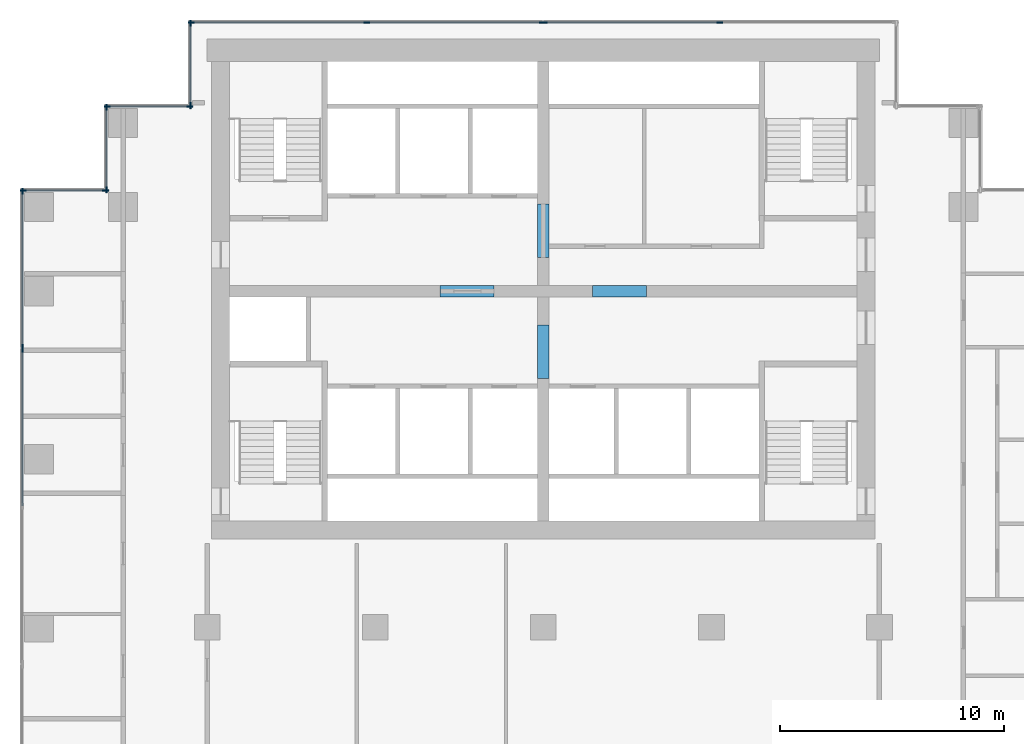
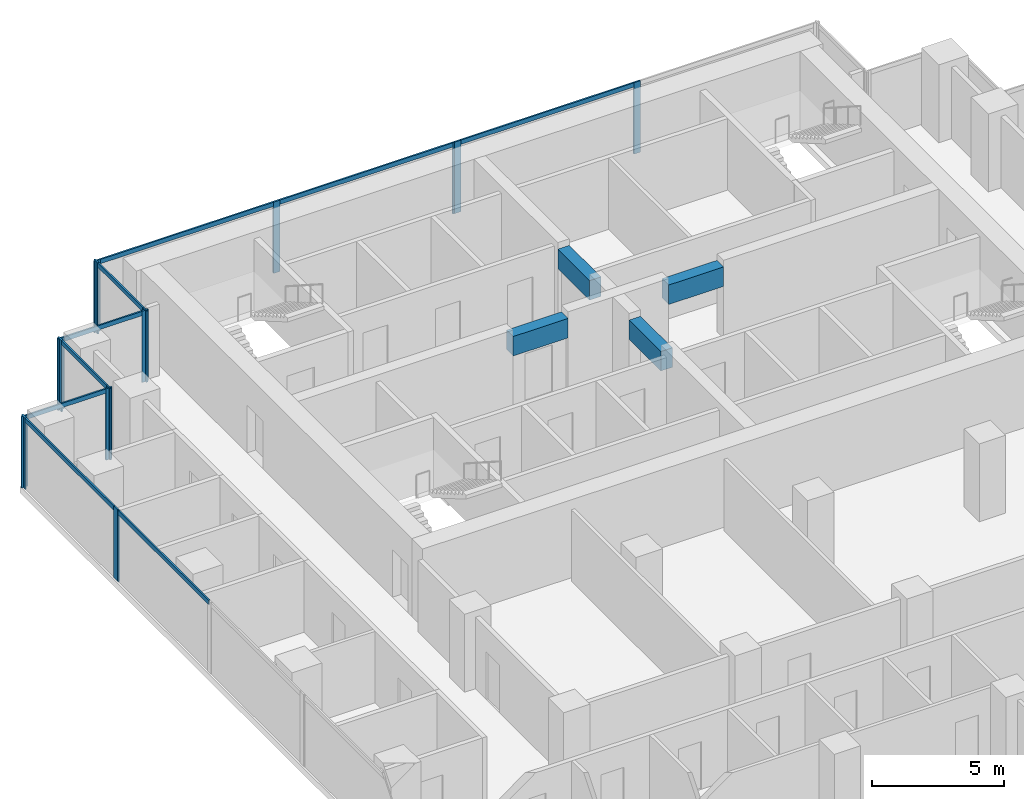
# One storey, part 4 of 11: 25 members, 4 beams, 8 elements without a shape of their own.
"""IFC4 building model written with IfcOpenShell, lengths in metres."""

from ifc_helpers import new_model, si_unit, direction, frame, origin, origin_2d, place, context, subcontext, project, spatial, rectangle, extrude, material, material_profile, profile_set, type_object, element, aggregate, save


model = new_model("IFC4")

# Units and contexts
model_context = context("Model", 3, precision=1e-05, world=origin(), true_north=direction((0.0, 1.0)))
body_context = subcontext(model_context, "Body", "Model", "MODEL_VIEW")
ifc_project = project(units=[si_unit("LENGTHUNIT", "METRE"), si_unit("AREAUNIT", "SQUARE_METRE"), si_unit("VOLUMEUNIT", "CUBIC_METRE"), si_unit("PLANEANGLEUNIT", "RADIAN"), si_unit("MASSUNIT", "GRAM", prefix="KILO")], contexts=[model_context])

# Site, building, storey
site_placement = place(None, origin())
site = spatial("IfcSite", under=ifc_project, at=site_placement, CompositionType="ELEMENT")
building_placement = place(site_placement, origin())
building = spatial("IfcBuilding", under=site, at=building_placement, Name="Pilkhan Gate Tower", CompositionType="ELEMENT")
storey_placement = place(building_placement, frame((0.0, 0.0, 121.60009765625)))
storey = spatial("IfcBuildingStorey", under=building, at=storey_placement, Name="L30", CompositionType="ELEMENT", Elevation=121.60009765625)

# Beams
ifc_material_1 = material(Name="Concrete C60/75", Category="concrete")
ifc_material_profile_1 = material_profile(ifc_material_1, rectangle(XDim=0.5, YDim=0.89990234375, at=origin_2d()), Name="RC 500x900")
ifc_profile_set_1 = profile_set([ifc_material_profile_1], Name="Concrete C60/75")
beam_type = type_object("IfcBeamType", Name="Coupling beam CB90 RC 500x900 C60/75", PredefinedType="LINTEL", material=ifc_profile_set_1)
for number, where, z_axis, x_axis, name in (
    (1, (70.39990234375, 82.5, 2.849853515625), (1.0, 0.0, 0.0), (0.0, 1.0, 0.0), "Coupling beam 1 L30"),
    (2, (77.199951171875, 82.5, 2.849853515625), (1.0, 0.0, 0.0), (0.0, 1.0, 0.0), "Coupling beam 2 L30"),
):
    element("IfcBeam", number, at=place(storey_placement, frame(where, z_axis=z_axis, x_axis=x_axis)), inside=storey, type_object=beam_type, Name=name, PredefinedType="LINTEL", context=body_context, shape_type="SweptSolid", body=[
        extrude(rectangle(XDim=0.5, YDim=0.89990234375, at=origin_2d()), origin(), (0.0, 0.0, 1.0), 2.400146484375),
    ])
for number, where, z_axis, x_axis, name in (
    (3, (75.0, 78.60009765625, 2.849853515625), (0.0, 1.0, 0.0), (-1.0, 0.0, 0.0), "Coupling beam 3 L30"),
    (4, (75.0, 84.0, 2.849853515625), (0.0, 1.0, 0.0), (-1.0, 0.0, 0.0), "Coupling beam 4 L30"),
):
    element("IfcBeam", number, at=place(storey_placement, frame(where, z_axis=z_axis, x_axis=x_axis)), inside=storey, type_object=beam_type, Name=name, PredefinedType="LINTEL", context=body_context, shape_type="SweptSolid", body=[
        extrude(rectangle(XDim=0.5, YDim=0.89990234375, at=origin_2d()), origin(), (0.0, 0.0, 1.0), 2.39990234375),
    ])

# Curtain wall, members
ifc_material_2 = material(Name="Pale anodised aluminium, clear low-iron double glazing", Category="aluminium")
curtain_wall_type = type_object("IfcCurtainWallType", Name="Office unitised curtain wall CW-O1", PredefinedType="USERDEFINED", material=ifc_material_2)
curtain_wall_1_placement = place(storey_placement, origin())
curtain_wall_1 = element("IfcCurtainWall", 5, at=curtain_wall_1_placement, inside=storey, type_object=curtain_wall_type, Name="Office unitised curtain wall CW-O1 L30 N", ObjectType="UNITISED CURTAIN WALL", PredefinedType="USERDEFINED")
ifc_material_3 = material(Name="Pale anodised aluminium", Category="aluminium")
ifc_material_profile_2 = material_profile(ifc_material_3, rectangle(XDim=0.070068359375, YDim=0.27490234375, at=origin_2d()), Name="Mullion 275x70")
ifc_profile_set_2 = profile_set([ifc_material_profile_2], Name="Pale anodised aluminium")
member_type_1 = type_object("IfcMemberType", Name="Mullion CW-O1 275x70", PredefinedType="MULLION", material=ifc_profile_set_2)
member_1_placement = place(storey_placement, frame((59.284912109375, 94.5, 0.0), z_axis=(0.0, 0.0, 1.0), x_axis=(0.0, 1.0, 0.0)))
member_1 = element("IfcMember", 6, at=member_1_placement, type_object=member_type_1, Name="CW-O1 mullion 1", PredefinedType="MULLION", context=body_context, shape_type="SweptSolid", body=[
    extrude(rectangle(XDim=0.070068359375, YDim=0.27490234375, at=origin_2d()), origin(), (0.0, 0.0, 1.0), 3.2998046875),
])
member_2_placement = place(storey_placement, frame((67.125, 94.5, 0.0), z_axis=(0.0, 0.0, 1.0), x_axis=(0.0, 1.0, 0.0)))
member_2 = element("IfcMember", 7, at=member_2_placement, type_object=member_type_1, Name="CW-O1 mullion 2", PredefinedType="MULLION", context=body_context, shape_type="SweptSolid", body=[
    extrude(rectangle(XDim=0.070068359375, YDim=0.27490234375, at=origin_2d()), origin(), (0.0, 0.0, 1.0), 3.2998046875),
])
member_3_placement = place(storey_placement, frame((74.965087890625, 94.5, 0.0), z_axis=(0.0, 0.0, 1.0), x_axis=(0.0, 1.0, 0.0)))
member_3 = element("IfcMember", 8, at=member_3_placement, type_object=member_type_1, Name="CW-O1 mullion 3", PredefinedType="MULLION", context=body_context, shape_type="SweptSolid", body=[
    extrude(rectangle(XDim=0.070068359375, YDim=0.27490234375, at=origin_2d()), origin(), (0.0, 0.0, 1.0), 3.2998046875),
])

curtain_wall_2_placement = place(storey_placement, origin())
curtain_wall_2 = element("IfcCurtainWall", 9, at=curtain_wall_2_placement, inside=storey, type_object=curtain_wall_type, Name="Office unitised curtain wall CW-O1 L30 N", ObjectType="UNITISED CURTAIN WALL", PredefinedType="USERDEFINED")
member_4_placement = place(storey_placement, frame((75.034912109375, 94.5, 0.0), z_axis=(0.0, 0.0, 1.0), x_axis=(0.0, 1.0, 0.0)))
member_4 = element("IfcMember", 10, at=member_4_placement, type_object=member_type_1, Name="CW-O1 mullion 1", PredefinedType="MULLION", context=body_context, shape_type="SweptSolid", body=[
    extrude(rectangle(XDim=0.070068359375, YDim=0.27490234375, at=origin_2d()), origin(), (0.0, 0.0, 1.0), 3.2998046875),
])
member_5_placement = place(storey_placement, frame((82.875, 94.5, 0.0), z_axis=(0.0, 0.0, 1.0), x_axis=(0.0, 1.0, 0.0)))
member_5 = element("IfcMember", 11, at=member_5_placement, type_object=member_type_1, Name="CW-O1 mullion 2", PredefinedType="MULLION", context=body_context, shape_type="SweptSolid", body=[
    extrude(rectangle(XDim=0.070068359375, YDim=0.27490234375, at=origin_2d()), origin(), (0.0, 0.0, 1.0), 3.2998046875),
])

curtain_wall_3_placement = place(storey_placement, origin())
curtain_wall_3 = element("IfcCurtainWall", 12, at=curtain_wall_3_placement, inside=storey, type_object=curtain_wall_type, Name="Office unitised curtain wall CW-O1 L30 W", ObjectType="UNITISED CURTAIN WALL", PredefinedType="USERDEFINED")
member_6_placement = place(storey_placement, frame((59.25, 90.784912109375, 0.0), z_axis=(0.0, 0.0, 1.0), x_axis=(-1.0, 0.0, 0.0)))
member_6 = element("IfcMember", 13, at=member_6_placement, type_object=member_type_1, Name="CW-O1 mullion 1", PredefinedType="MULLION", context=body_context, shape_type="SweptSolid", body=[
    extrude(rectangle(XDim=0.070068359375, YDim=0.27490234375, at=origin_2d()), origin(), (0.0, 0.0, 1.0), 3.2998046875),
])
member_7_placement = place(storey_placement, frame((59.25, 94.465087890625, 0.0), z_axis=(0.0, 0.0, 1.0), x_axis=(-1.0, 0.0, 0.0)))
member_7 = element("IfcMember", 14, at=member_7_placement, type_object=member_type_1, Name="CW-O1 mullion 2", PredefinedType="MULLION", context=body_context, shape_type="SweptSolid", body=[
    extrude(rectangle(XDim=0.070068359375, YDim=0.27490234375, at=origin_2d()), origin(), (0.0, 0.0, 1.0), 3.2998046875),
])

curtain_wall_4_placement = place(storey_placement, origin())
curtain_wall_4 = element("IfcCurtainWall", 15, at=curtain_wall_4_placement, inside=storey, type_object=curtain_wall_type, Name="Office unitised curtain wall CW-O1 L30 N", ObjectType="UNITISED CURTAIN WALL", PredefinedType="USERDEFINED")
member_8_placement = place(storey_placement, frame((55.534912109375, 90.75, 0.0), z_axis=(0.0, 0.0, 1.0), x_axis=(0.0, 1.0, 0.0)))
member_8 = element("IfcMember", 16, at=member_8_placement, type_object=member_type_1, Name="CW-O1 mullion 1", PredefinedType="MULLION", context=body_context, shape_type="SweptSolid", body=[
    extrude(rectangle(XDim=0.070068359375, YDim=0.27490234375, at=origin_2d()), origin(), (0.0, 0.0, 1.0), 3.2998046875),
])
member_9_placement = place(storey_placement, frame((59.215087890625, 90.75, 0.0), z_axis=(0.0, 0.0, 1.0), x_axis=(0.0, 1.0, 0.0)))
member_9 = element("IfcMember", 17, at=member_9_placement, type_object=member_type_1, Name="CW-O1 mullion 2", PredefinedType="MULLION", context=body_context, shape_type="SweptSolid", body=[
    extrude(rectangle(XDim=0.070068359375, YDim=0.27490234375, at=origin_2d()), origin(), (0.0, 0.0, 1.0), 3.2998046875),
])

curtain_wall_5_placement = place(storey_placement, origin())
curtain_wall_5 = element("IfcCurtainWall", 18, at=curtain_wall_5_placement, inside=storey, type_object=curtain_wall_type, Name="Office unitised curtain wall CW-O1 L30 W", ObjectType="UNITISED CURTAIN WALL", PredefinedType="USERDEFINED")
member_10_placement = place(storey_placement, frame((55.5, 87.034912109375, 0.0), z_axis=(0.0, 0.0, 1.0), x_axis=(-1.0, 0.0, 0.0)))
member_10 = element("IfcMember", 19, at=member_10_placement, type_object=member_type_1, Name="CW-O1 mullion 1", PredefinedType="MULLION", context=body_context, shape_type="SweptSolid", body=[
    extrude(rectangle(XDim=0.070068359375, YDim=0.27490234375, at=origin_2d()), origin(), (0.0, 0.0, 1.0), 3.2998046875),
])
member_11_placement = place(storey_placement, frame((55.5, 90.715087890625, 0.0), z_axis=(0.0, 0.0, 1.0), x_axis=(-1.0, 0.0, 0.0)))
member_11 = element("IfcMember", 20, at=member_11_placement, type_object=member_type_1, Name="CW-O1 mullion 2", PredefinedType="MULLION", context=body_context, shape_type="SweptSolid", body=[
    extrude(rectangle(XDim=0.070068359375, YDim=0.27490234375, at=origin_2d()), origin(), (0.0, 0.0, 1.0), 3.2998046875),
])

curtain_wall_6_placement = place(storey_placement, origin())
curtain_wall_6 = element("IfcCurtainWall", 21, at=curtain_wall_6_placement, inside=storey, type_object=curtain_wall_type, Name="Office unitised curtain wall CW-O1 L30 N", ObjectType="UNITISED CURTAIN WALL", PredefinedType="USERDEFINED")
member_12_placement = place(storey_placement, frame((51.784912109375, 87.0, 0.0), z_axis=(0.0, 0.0, 1.0), x_axis=(0.0, 1.0, 0.0)))
member_12 = element("IfcMember", 22, at=member_12_placement, type_object=member_type_1, Name="CW-O1 mullion 1", PredefinedType="MULLION", context=body_context, shape_type="SweptSolid", body=[
    extrude(rectangle(XDim=0.070068359375, YDim=0.27490234375, at=origin_2d()), origin(), (0.0, 0.0, 1.0), 3.2998046875),
])
member_13_placement = place(storey_placement, frame((55.465087890625, 87.0, 0.0), z_axis=(0.0, 0.0, 1.0), x_axis=(0.0, 1.0, 0.0)))
member_13 = element("IfcMember", 23, at=member_13_placement, type_object=member_type_1, Name="CW-O1 mullion 2", PredefinedType="MULLION", context=body_context, shape_type="SweptSolid", body=[
    extrude(rectangle(XDim=0.070068359375, YDim=0.27490234375, at=origin_2d()), origin(), (0.0, 0.0, 1.0), 3.2998046875),
])

# Curtain wall, member
curtain_wall_7_placement = place(storey_placement, origin())
curtain_wall_7 = element("IfcCurtainWall", 24, at=curtain_wall_7_placement, inside=storey, type_object=curtain_wall_type, Name="Office unitised curtain wall CW-O1 L30 W", ObjectType="UNITISED CURTAIN WALL", PredefinedType="USERDEFINED")
member_14_placement = place(storey_placement, frame((51.75, 79.9150390625, 0.0), z_axis=(0.0, 0.0, 1.0), x_axis=(-1.0, 0.0, 0.0)))
member_14 = element("IfcMember", 25, at=member_14_placement, type_object=member_type_1, Name="CW-O1 mullion 3", PredefinedType="MULLION", context=body_context, shape_type="SweptSolid", body=[
    extrude(rectangle(XDim=0.070068359375, YDim=0.27490234375, at=origin_2d()), origin(), (0.0, 0.0, 1.0), 3.2998046875),
])

# Curtain wall, members
curtain_wall_8_placement = place(storey_placement, origin())
curtain_wall_8 = element("IfcCurtainWall", 26, at=curtain_wall_8_placement, inside=storey, type_object=curtain_wall_type, Name="Office unitised curtain wall CW-O1 L30 W", ObjectType="UNITISED CURTAIN WALL", PredefinedType="USERDEFINED")
member_15_placement = place(storey_placement, frame((51.75, 79.985107421875, 0.0), z_axis=(0.0, 0.0, 1.0), x_axis=(-1.0, 0.0, 0.0)))
member_15 = element("IfcMember", 27, at=member_15_placement, type_object=member_type_1, Name="CW-O1 mullion 1", PredefinedType="MULLION", context=body_context, shape_type="SweptSolid", body=[
    extrude(rectangle(XDim=0.070068359375, YDim=0.27490234375, at=origin_2d()), origin(), (0.0, 0.0, 1.0), 3.2998046875),
])
member_16_placement = place(storey_placement, frame((51.75, 86.965087890625, 0.0), z_axis=(0.0, 0.0, 1.0), x_axis=(-1.0, 0.0, 0.0)))
member_16 = element("IfcMember", 28, at=member_16_placement, type_object=member_type_1, Name="CW-O1 mullion 2", PredefinedType="MULLION", context=body_context, shape_type="SweptSolid", body=[
    extrude(rectangle(XDim=0.070068359375, YDim=0.27490234375, at=origin_2d()), origin(), (0.0, 0.0, 1.0), 3.2998046875),
])

# Member
ifc_material_profile_3 = material_profile(ifc_material_3, rectangle(XDim=0.070068359375, YDim=0.199951171875, at=origin_2d()), Name="Transom 200x70")
ifc_profile_set_3 = profile_set([ifc_material_profile_3], Name="Pale anodised aluminium")
member_type_2 = type_object("IfcMemberType", Name="Transom CW-O1 200x70", PredefinedType="USERDEFINED", material=ifc_profile_set_3)
member_17_placement = place(storey_placement, frame((59.320068359375, 94.5, 3.199951171875), z_axis=(1.0, 0.0, 0.0), x_axis=(0.0, 1.0, 0.0)))
member_17 = element("IfcMember", 29, at=member_17_placement, type_object=member_type_2, Name="CW-O1 transom 1", ObjectType="TRANSOM", PredefinedType="USERDEFINED", context=body_context, shape_type="SweptSolid", body=[
    extrude(rectangle(XDim=0.070068359375, YDim=0.199951171875, at=origin_2d()), origin(), (0.0, 0.0, 1.0), 7.77001953125),
])

member_18_placement = place(storey_placement, frame((67.159912109375, 94.5, 3.199951171875), z_axis=(1.0, 0.0, 0.0), x_axis=(0.0, 1.0, 0.0)))
member_18 = element("IfcMember", 30, at=member_18_placement, type_object=member_type_2, Name="CW-O1 transom 2", ObjectType="TRANSOM", PredefinedType="USERDEFINED", context=body_context, shape_type="SweptSolid", body=[
    extrude(rectangle(XDim=0.070068359375, YDim=0.199951171875, at=origin_2d()), origin(), (0.0, 0.0, 1.0), 7.77001953125),
])

aggregate(curtain_wall_1, [member_1, member_2, member_3, member_17, member_18])

member_19_placement = place(storey_placement, frame((75.070068359375, 94.5, 3.199951171875), z_axis=(1.0, 0.0, 0.0), x_axis=(0.0, 1.0, 0.0)))
member_19 = element("IfcMember", 31, at=member_19_placement, type_object=member_type_2, Name="CW-O1 transom 1", ObjectType="TRANSOM", PredefinedType="USERDEFINED", context=body_context, shape_type="SweptSolid", body=[
    extrude(rectangle(XDim=0.070068359375, YDim=0.199951171875, at=origin_2d()), origin(), (0.0, 0.0, 1.0), 7.77001953125),
])

aggregate(curtain_wall_2, [member_4, member_5, member_19])

member_20_placement = place(storey_placement, frame((59.25, 90.820068359375, 3.199951171875), z_axis=(0.0, 1.0, 0.0), x_axis=(-1.0, 0.0, 0.0)))
member_20 = element("IfcMember", 32, at=member_20_placement, type_object=member_type_2, Name="CW-O1 transom 1", ObjectType="TRANSOM", PredefinedType="USERDEFINED", context=body_context, shape_type="SweptSolid", body=[
    extrude(rectangle(XDim=0.070068359375, YDim=0.199951171875, at=origin_2d()), origin(), (0.0, 0.0, 1.0), 3.60986328125),
])

aggregate(curtain_wall_3, [member_6, member_7, member_20])

member_21_placement = place(storey_placement, frame((55.570068359375, 90.75, 3.199951171875), z_axis=(1.0, 0.0, 0.0), x_axis=(0.0, 1.0, 0.0)))
member_21 = element("IfcMember", 33, at=member_21_placement, type_object=member_type_2, Name="CW-O1 transom 1", ObjectType="TRANSOM", PredefinedType="USERDEFINED", context=body_context, shape_type="SweptSolid", body=[
    extrude(rectangle(XDim=0.070068359375, YDim=0.199951171875, at=origin_2d()), origin(), (0.0, 0.0, 1.0), 3.60986328125),
])

aggregate(curtain_wall_4, [member_8, member_9, member_21])

member_22_placement = place(storey_placement, frame((55.5, 87.070068359375, 3.199951171875), z_axis=(0.0, 1.0, 0.0), x_axis=(-1.0, 0.0, 0.0)))
member_22 = element("IfcMember", 34, at=member_22_placement, type_object=member_type_2, Name="CW-O1 transom 1", ObjectType="TRANSOM", PredefinedType="USERDEFINED", context=body_context, shape_type="SweptSolid", body=[
    extrude(rectangle(XDim=0.070068359375, YDim=0.199951171875, at=origin_2d()), origin(), (0.0, 0.0, 1.0), 3.60986328125),
])

aggregate(curtain_wall_5, [member_10, member_11, member_22])

member_23_placement = place(storey_placement, frame((51.820068359375, 87.0, 3.199951171875), z_axis=(1.0, 0.0, 0.0), x_axis=(0.0, 1.0, 0.0)))
member_23 = element("IfcMember", 35, at=member_23_placement, type_object=member_type_2, Name="CW-O1 transom 1", ObjectType="TRANSOM", PredefinedType="USERDEFINED", context=body_context, shape_type="SweptSolid", body=[
    extrude(rectangle(XDim=0.070068359375, YDim=0.199951171875, at=origin_2d()), origin(), (0.0, 0.0, 1.0), 3.60986328125),
])

aggregate(curtain_wall_6, [member_12, member_13, member_23])

member_24_placement = place(storey_placement, frame((51.75, 72.93505859375, 3.199951171875), z_axis=(0.0, 1.0, 0.0), x_axis=(-1.0, 0.0, 0.0)))
member_24 = element("IfcMember", 36, at=member_24_placement, type_object=member_type_2, Name="CW-O1 transom 2", ObjectType="TRANSOM", PredefinedType="USERDEFINED", context=body_context, shape_type="SweptSolid", body=[
    extrude(rectangle(XDim=0.070068359375, YDim=0.199951171875, at=origin_2d()), origin(), (0.0, 0.0, 1.0), 6.94482421875),
])

aggregate(curtain_wall_7, [member_14, member_24])

member_25_placement = place(storey_placement, frame((51.75, 80.02001953125, 3.199951171875), z_axis=(0.0, 1.0, 0.0), x_axis=(-1.0, 0.0, 0.0)))
member_25 = element("IfcMember", 37, at=member_25_placement, type_object=member_type_2, Name="CW-O1 transom 1", ObjectType="TRANSOM", PredefinedType="USERDEFINED", context=body_context, shape_type="SweptSolid", body=[
    extrude(rectangle(XDim=0.070068359375, YDim=0.199951171875, at=origin_2d()), origin(), (0.0, 0.0, 1.0), 6.909912109375),
])

aggregate(curtain_wall_8, [member_15, member_16, member_25])

save(model, "model.ifc")
